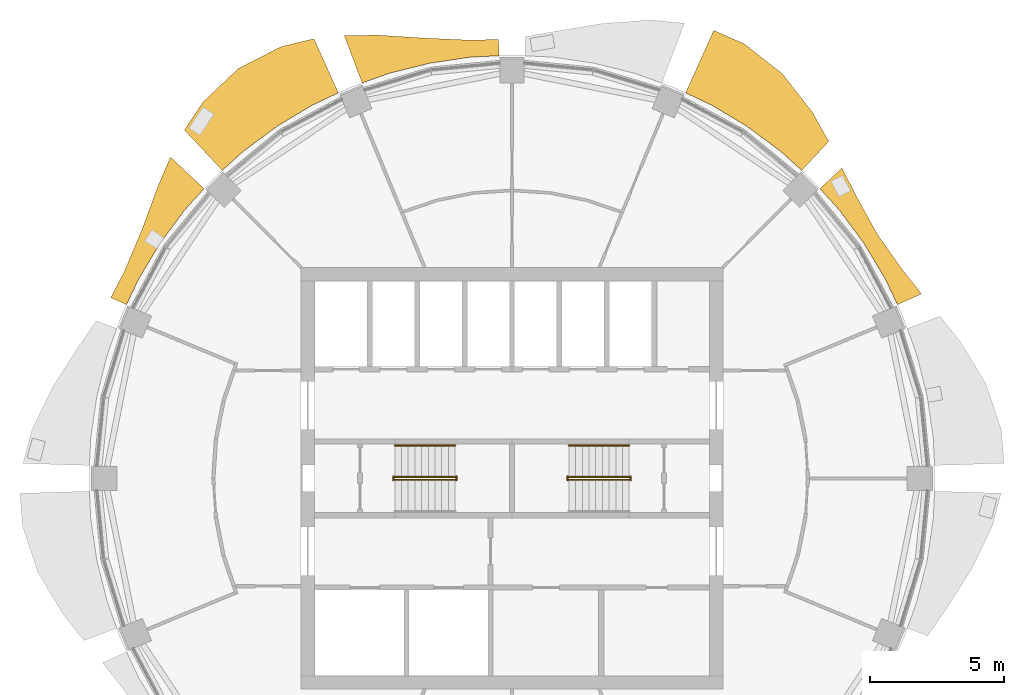
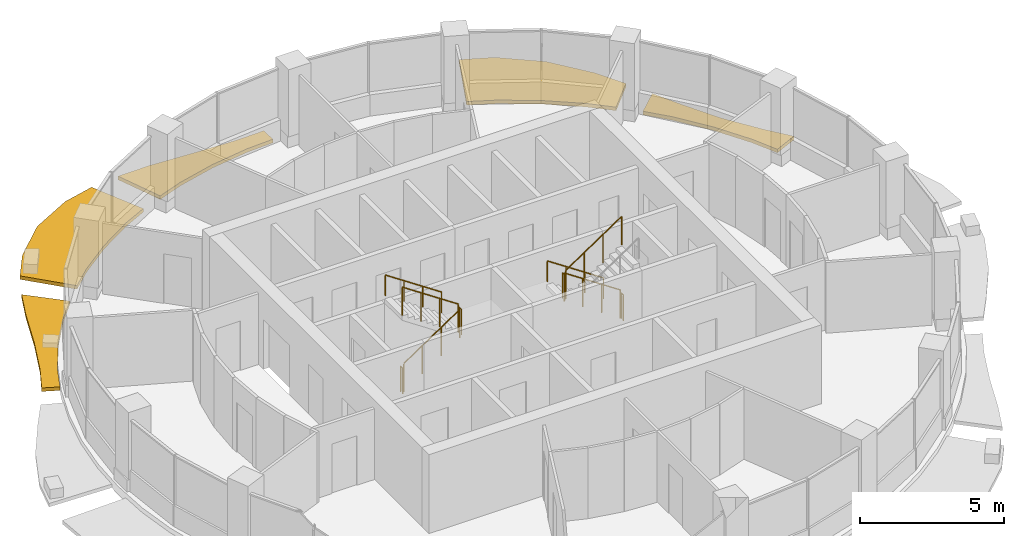
# One storey, part 12 of 14: 10 railings, 5 shading devices.
"""IFC4 building model written with IfcOpenShell, lengths in metres."""

from ifc_helpers import new_model, si_unit, direction, frame, origin, origin_2d, place, context, subcontext, project, spatial, polyline, circle, outline, extrude, material, type_object, element, save


model = new_model("IFC4")

# Units and contexts
model_context = context("Model", 3, precision=1e-05, world=origin(), true_north=direction((0.0, 1.0)))
body_context = subcontext(model_context, "Body", "Model", "MODEL_VIEW")
ifc_project = project(units=[si_unit("LENGTHUNIT", "METRE"), si_unit("AREAUNIT", "SQUARE_METRE"), si_unit("VOLUMEUNIT", "CUBIC_METRE"), si_unit("PLANEANGLEUNIT", "RADIAN"), si_unit("MASSUNIT", "GRAM", prefix="KILO")], contexts=[model_context])

# Site, building, storey
site_placement = place(None, origin())
site = spatial("IfcSite", under=ifc_project, at=site_placement, CompositionType="ELEMENT")
building_placement = place(site_placement, origin())
building = spatial("IfcBuilding", under=site, at=building_placement, Name="Polderwave Tower", CompositionType="ELEMENT")
storey_placement = place(building_placement, frame((0.0, 0.0, 217.800048828125)))
storey = spatial("IfcBuildingStorey", under=building, at=storey_placement, Name="L59", CompositionType="ELEMENT", Elevation=217.800048828125)

# Railings
ifc_material_1 = material(Name="Stainless steel", Category="steel")
railing_type_1 = type_object("IfcRailingType", Name="Stair guard 1100", PredefinedType="GUARDRAIL", material=ifc_material_1)
railing_1_placement = place(storey_placement, frame((-4.3740234375, -0.051025390625, 0.04736328125)))
element("IfcRailing", 1, at=railing_1_placement, inside=storey, type_object=railing_type_1, Name="L59 ST-A stair guard 1", PredefinedType="GUARDRAIL", context=body_context, shape_type="SweptSolid", body=[
    extrude(circle(Radius=0.02392578125, at=origin_2d()), frame((0.0, 0.0, 1.1962890625), z_axis=(0.830758306289, 0.0, 0.556633305266), x_axis=(0.0, 1.0, 0.0)), (0.0, 0.0, 1.0), 2.708251953125),
    extrude(circle(Radius=0.02392578125, at=origin_2d()), origin(), (0.0, 0.0, 1.0), 1.172119140625),
    extrude(circle(Radius=0.02392578125, at=origin_2d()), frame((0.75, 0.0, 0.50244140625)), (0.0, 0.0, 1.0), 1.172119140625),
    extrude(circle(Radius=0.02392578125, at=origin_2d()), frame((1.5, 0.0, 1.005126953125)), (0.0, 0.0, 1.0), 1.172119140625),
    extrude(circle(Radius=0.02392578125, at=origin_2d()), frame((2.25, 0.0, 1.507568359375)), (0.0, 0.0, 1.0), 1.172119140625),
])
railing_2_placement = place(storey_placement, frame((-2.073974609375, -0.074951171875, 1.675048828125)))
element("IfcRailing", 2, at=railing_2_placement, inside=storey, type_object=railing_type_1, Name="L59 ST-A stair guard 2", PredefinedType="GUARDRAIL", context=body_context, shape_type="SweptSolid", body=[
    extrude(circle(Radius=0.02392578125, at=origin_2d()), frame((0.0, 0.0, 1.076171875), z_axis=(0.0, 1.0, 0.0), x_axis=(-1.0, 0.0, 0.0)), (0.0, 0.0, 1.0), 0.14990234375),
    extrude(circle(Radius=0.02099609375, at=origin_2d()), origin(), (0.0, 0.0, 1.0), 1.052001953125),
    extrude(circle(Radius=0.02099609375, at=origin_2d()), frame((0.0, 0.14990234375, 0.0)), (0.0, 0.0, 1.0), 1.052001953125),
])
railing_3_placement = place(storey_placement, frame((-2.1240234375, 0.051025390625, 1.722412109375)))
element("IfcRailing", 3, at=railing_3_placement, inside=storey, type_object=railing_type_1, Name="L59 ST-A stair guard 3", PredefinedType="GUARDRAIL", context=body_context, shape_type="SweptSolid", body=[
    extrude(circle(Radius=0.02392578125, at=origin_2d()), frame((0.0, 0.0, 1.1962890625), z_axis=(-0.830799990696, 0.0, 0.556571087517), x_axis=(0.0, -1.0, 0.0)), (0.0, 0.0, 1.0), 2.708251953125),
    extrude(circle(Radius=0.02392578125, at=origin_2d()), origin(), (0.0, 0.0, 1.0), 1.172119140625),
    extrude(circle(Radius=0.02392578125, at=origin_2d()), frame((-0.75, 0.0, 0.50244140625)), (0.0, 0.0, 1.0), 1.172119140625),
    extrude(circle(Radius=0.02392578125, at=origin_2d()), frame((-1.5, 0.0, 1.0048828125)), (0.0, 0.0, 1.0), 1.172119140625),
    extrude(circle(Radius=0.02392578125, at=origin_2d()), frame((-2.25, 0.0, 1.50732421875)), (0.0, 0.0, 1.0), 1.172119140625),
])
railing_4_placement = place(storey_placement, frame((-4.424072265625, -0.074951171875, 0.0)))
element("IfcRailing", 4, at=railing_4_placement, inside=storey, type_object=railing_type_1, Name="L59 ST-A stair guard 4", PredefinedType="GUARDRAIL", context=body_context, shape_type="SweptSolid", body=[
    extrude(circle(Radius=0.02392578125, at=origin_2d()), frame((0.0, 0.0, 1.076171875), z_axis=(0.0, 1.0, 0.0), x_axis=(-1.0, 0.0, 0.0)), (0.0, 0.0, 1.0), 0.14990234375),
    extrude(circle(Radius=0.02099609375, at=origin_2d()), origin(), (0.0, 0.0, 1.0), 1.052001953125),
    extrude(circle(Radius=0.02099609375, at=origin_2d()), frame((0.0, 0.14990234375, 0.0)), (0.0, 0.0, 1.0), 1.052001953125),
])
railing_5_placement = place(storey_placement, frame((4.3740234375, 0.051025390625, 0.04736328125)))
element("IfcRailing", 5, at=railing_5_placement, inside=storey, type_object=railing_type_1, Name="L59 ST-B stair guard 1", PredefinedType="GUARDRAIL", context=body_context, shape_type="SweptSolid", body=[
    extrude(circle(Radius=0.02392578125, at=origin_2d()), frame((0.0, 0.0, 1.1962890625), z_axis=(-0.830758306289, 0.0, 0.556633305266), x_axis=(0.0, -1.0, 0.0)), (0.0, 0.0, 1.0), 2.708251953125),
    extrude(circle(Radius=0.02392578125, at=origin_2d()), origin(), (0.0, 0.0, 1.0), 1.172119140625),
    extrude(circle(Radius=0.02392578125, at=origin_2d()), frame((-0.75, 0.0, 0.50244140625)), (0.0, 0.0, 1.0), 1.172119140625),
    extrude(circle(Radius=0.02392578125, at=origin_2d()), frame((-1.5, 0.0, 1.005126953125)), (0.0, 0.0, 1.0), 1.172119140625),
    extrude(circle(Radius=0.02392578125, at=origin_2d()), frame((-2.25, 0.0, 1.507568359375)), (0.0, 0.0, 1.0), 1.172119140625),
])
railing_6_placement = place(storey_placement, frame((2.073974609375, 0.074951171875, 1.675048828125)))
element("IfcRailing", 6, at=railing_6_placement, inside=storey, type_object=railing_type_1, Name="L59 ST-B stair guard 2", PredefinedType="GUARDRAIL", context=body_context, shape_type="SweptSolid", body=[
    extrude(circle(Radius=0.02392578125, at=origin_2d()), frame((0.0, 0.0, 1.076171875), z_axis=(0.0, -1.0, 0.0), x_axis=(1.0, 0.0, 0.0)), (0.0, 0.0, 1.0), 0.14990234375),
    extrude(circle(Radius=0.02099609375, at=origin_2d()), origin(), (0.0, 0.0, 1.0), 1.052001953125),
    extrude(circle(Radius=0.02099609375, at=origin_2d()), frame((0.0, -0.14990234375, 0.0)), (0.0, 0.0, 1.0), 1.052001953125),
])
railing_7_placement = place(storey_placement, frame((2.1240234375, -0.051025390625, 1.722412109375)))
element("IfcRailing", 7, at=railing_7_placement, inside=storey, type_object=railing_type_1, Name="L59 ST-B stair guard 3", PredefinedType="GUARDRAIL", context=body_context, shape_type="SweptSolid", body=[
    extrude(circle(Radius=0.02392578125, at=origin_2d()), frame((0.0, 0.0, 1.1962890625), z_axis=(0.830799990696, 0.0, 0.556571087517), x_axis=(0.0, 1.0, 0.0)), (0.0, 0.0, 1.0), 2.708251953125),
    extrude(circle(Radius=0.02392578125, at=origin_2d()), origin(), (0.0, 0.0, 1.0), 1.172119140625),
    extrude(circle(Radius=0.02392578125, at=origin_2d()), frame((0.75, 0.0, 0.50244140625)), (0.0, 0.0, 1.0), 1.172119140625),
    extrude(circle(Radius=0.02392578125, at=origin_2d()), frame((1.5, 0.0, 1.0048828125)), (0.0, 0.0, 1.0), 1.172119140625),
    extrude(circle(Radius=0.02392578125, at=origin_2d()), frame((2.25, 0.0, 1.50732421875)), (0.0, 0.0, 1.0), 1.172119140625),
])
railing_8_placement = place(storey_placement, frame((4.424072265625, 0.074951171875, 0.0)))
element("IfcRailing", 8, at=railing_8_placement, inside=storey, type_object=railing_type_1, Name="L59 ST-B stair guard 4", PredefinedType="GUARDRAIL", context=body_context, shape_type="SweptSolid", body=[
    extrude(circle(Radius=0.02392578125, at=origin_2d()), frame((0.0, 0.0, 1.076171875), z_axis=(0.0, -1.0, 0.0), x_axis=(1.0, 0.0, 0.0)), (0.0, 0.0, 1.0), 0.14990234375),
    extrude(circle(Radius=0.02099609375, at=origin_2d()), origin(), (0.0, 0.0, 1.0), 1.052001953125),
    extrude(circle(Radius=0.02099609375, at=origin_2d()), frame((0.0, -0.14990234375, 0.0)), (0.0, 0.0, 1.0), 1.052001953125),
])
railing_type_2 = type_object("IfcRailingType", Name="Stair handrail 900", PredefinedType="HANDRAIL", material=ifc_material_1)
railing_9_placement = place(storey_placement, frame((-2.1240234375, 1.22509765625, 1.842529296875)))
element("IfcRailing", 9, at=railing_9_placement, inside=storey, type_object=railing_type_2, Name="L59 ST-A stair handrail 2", PredefinedType="HANDRAIL", context=body_context, shape_type="SweptSolid", body=[
    extrude(circle(Radius=0.02392578125, at=origin_2d()), frame((0.0, 0.0, 0.8759765625), z_axis=(-0.830799990696, 0.0, 0.556571087517), x_axis=(0.0, -1.0, 0.0)), (0.0, 0.0, 1.0), 2.708251953125),
    extrude(circle(Radius=0.02099609375, at=origin_2d()), origin(), (0.0, 0.0, 1.0), 0.851806640625),
    extrude(circle(Radius=0.02099609375, at=origin_2d()), frame((-0.75, 0.0, 0.50244140625)), (0.0, 0.0, 1.0), 0.851806640625),
    extrude(circle(Radius=0.02099609375, at=origin_2d()), frame((-1.5, 0.0, 1.0048828125)), (0.0, 0.0, 1.0), 0.851806640625),
    extrude(circle(Radius=0.02099609375, at=origin_2d()), frame((-2.25, 0.0, 1.50732421875)), (0.0, 0.0, 1.0), 0.851806640625),
])
railing_10_placement = place(storey_placement, frame((4.3740234375, 1.22509765625, 0.16748046875)))
element("IfcRailing", 10, at=railing_10_placement, inside=storey, type_object=railing_type_2, Name="L59 ST-B stair handrail 1", PredefinedType="HANDRAIL", context=body_context, shape_type="SweptSolid", body=[
    extrude(circle(Radius=0.02392578125, at=origin_2d()), frame((0.0, 0.0, 0.8759765625), z_axis=(-0.830758306289, 0.0, 0.556633305266), x_axis=(0.0, -1.0, 0.0)), (0.0, 0.0, 1.0), 2.708251953125),
    extrude(circle(Radius=0.02099609375, at=origin_2d()), origin(), (0.0, 0.0, 1.0), 0.851806640625),
    extrude(circle(Radius=0.02099609375, at=origin_2d()), frame((-0.75, 0.0, 0.50244140625)), (0.0, 0.0, 1.0), 0.851806640625),
    extrude(circle(Radius=0.02099609375, at=origin_2d()), frame((-1.5, 0.0, 1.005126953125)), (0.0, 0.0, 1.0), 0.851806640625),
    extrude(circle(Radius=0.02099609375, at=origin_2d()), frame((-2.25, 0.0, 1.507568359375)), (0.0, 0.0, 1.0), 0.851806640625),
])

# Shading devices
ifc_material_2 = material(Name="Terracotta", Category="masonry")
shading_device_type = type_object("IfcShadingDeviceType", Name="Terracotta sunshade band", PredefinedType="USERDEFINED", material=ifc_material_2)
shading_device_1_placement = place(storey_placement, frame((0.0, 0.0, -0.35009765625)))
element("IfcShadingDevice", 11, at=shading_device_1_placement, inside=storey, type_object=shading_device_type, Name="Sunshade band L59 2", ObjectType="SUNSHADE", PredefinedType="USERDEFINED", context=body_context, shape_type="SweptSolid", body=[
    extrude(outline(polyline([(14.391357421875, 6.48193359375), (13.934326171875, 7.447998046875), (13.13720703125, 8.778076171875), (12.213623046875, 10.0234375), (11.495849609375, 10.815185546875), (12.319580078125, 11.590087890625), (12.84765625, 10.543701171875), (13.639404296875, 9.113525390625), (14.572021484375, 7.7890625), (15.288818359375, 6.88623046875), (14.391357421875, 6.48193359375)])), origin(), (0.0, 0.0, 1.0), 0.150146484375),
])
shading_device_2_placement = place(storey_placement, frame((0.0, 0.0, -0.35009765625)))
element("IfcShadingDevice", 12, at=shading_device_2_placement, inside=storey, type_object=shading_device_type, Name="Sunshade band L59 3", ObjectType="SUNSHADE", PredefinedType="USERDEFINED", context=body_context, shape_type="SweptSolid", body=[
    extrude(outline(polyline([(10.815185546875, 11.495849609375), (10.0234375, 12.213623046875), (8.778076171875, 13.13720703125), (7.447998046875, 13.934326171875), (6.48193359375, 14.391357421875), (7.53173828125, 16.721923828125), (8.6708984375, 16.22216796875), (10.092529296875, 15.104736328125), (11.216064453125, 13.6669921875), (11.828125, 12.572509765625), (10.815185546875, 11.495849609375)])), origin(), (0.0, 0.0, 1.0), 0.150146484375),
])
shading_device_3_placement = place(storey_placement, frame((0.0, 0.0, -0.35009765625)))
element("IfcShadingDevice", 13, at=shading_device_3_placement, inside=storey, type_object=shading_device_type, Name="Sunshade band L59 5", ObjectType="SUNSHADE", PredefinedType="USERDEFINED", context=body_context, shape_type="SweptSolid", body=[
    extrude(outline(polyline([(-0.481201171875, 15.7763671875), (-1.548583984375, 15.723876953125), (-3.08251953125, 15.496337890625), (-4.58642578125, 15.11962890625), (-5.5927734375, 14.759521484375), (-6.263427734375, 16.52978515625), (-5.019287109375, 16.546875), (-3.269287109375, 16.435302734375), (-1.611328125, 16.36083984375), (-0.499755859375, 16.383544921875), (-0.481201171875, 15.7763671875)])), origin(), (0.0, 0.0, 1.0), 0.150146484375),
])
shading_device_4_placement = place(storey_placement, frame((0.0, 0.0, -0.35009765625)))
element("IfcShadingDevice", 14, at=shading_device_4_placement, inside=storey, type_object=shading_device_type, Name="Sunshade band L59 6", ObjectType="SUNSHADE", PredefinedType="USERDEFINED", context=body_context, shape_type="SweptSolid", body=[
    extrude(outline(polyline([(-6.48193359375, 14.391357421875), (-7.447998046875, 13.934326171875), (-8.778076171875, 13.13720703125), (-10.0234375, 12.213623046875), (-10.815185546875, 11.495849609375), (-12.23291015625, 13.002685546875), (-11.533203125, 14.052978515625), (-10.220458984375, 15.2958984375), (-8.61572265625, 16.11865234375), (-7.39208984375, 16.41162109375), (-6.48193359375, 14.391357421875)])), origin(), (0.0, 0.0, 1.0), 0.150146484375),
])
shading_device_5_placement = place(storey_placement, frame((0.0, 0.0, -0.35009765625)))
element("IfcShadingDevice", 15, at=shading_device_5_placement, inside=storey, type_object=shading_device_type, Name="Sunshade band L59 7", ObjectType="SUNSHADE", PredefinedType="USERDEFINED", context=body_context, shape_type="SweptSolid", body=[
    extrude(outline(polyline([(-11.495849609375, 10.815185546875), (-12.213623046875, 10.0234375), (-13.13720703125, 8.778076171875), (-13.934326171875, 7.447998046875), (-14.391357421875, 6.48193359375), (-14.978271484375, 6.746337890625), (-14.46875, 7.733642578125), (-13.83056640625, 9.2412109375), (-13.23388671875, 10.86083984375), (-12.75, 11.9951171875), (-11.495849609375, 10.815185546875)])), origin(), (0.0, 0.0, 1.0), 0.150146484375),
])

save(model, "model.ifc")
